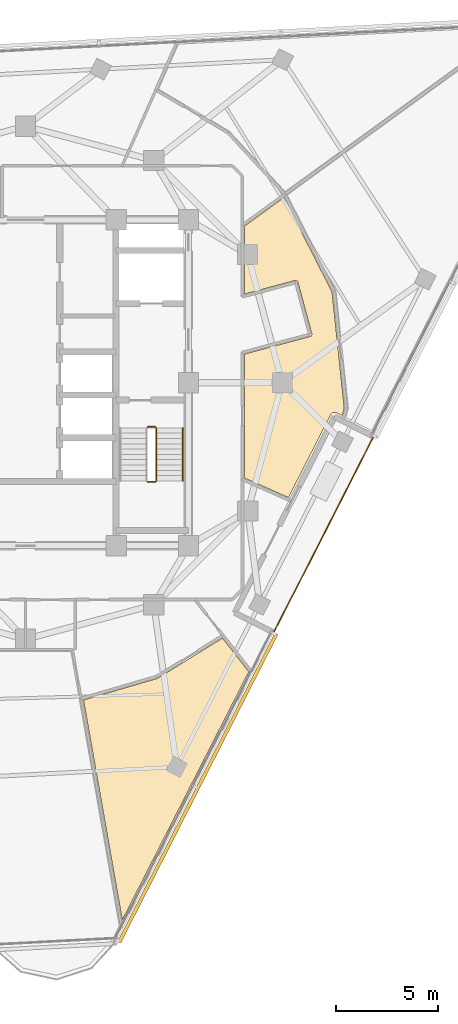
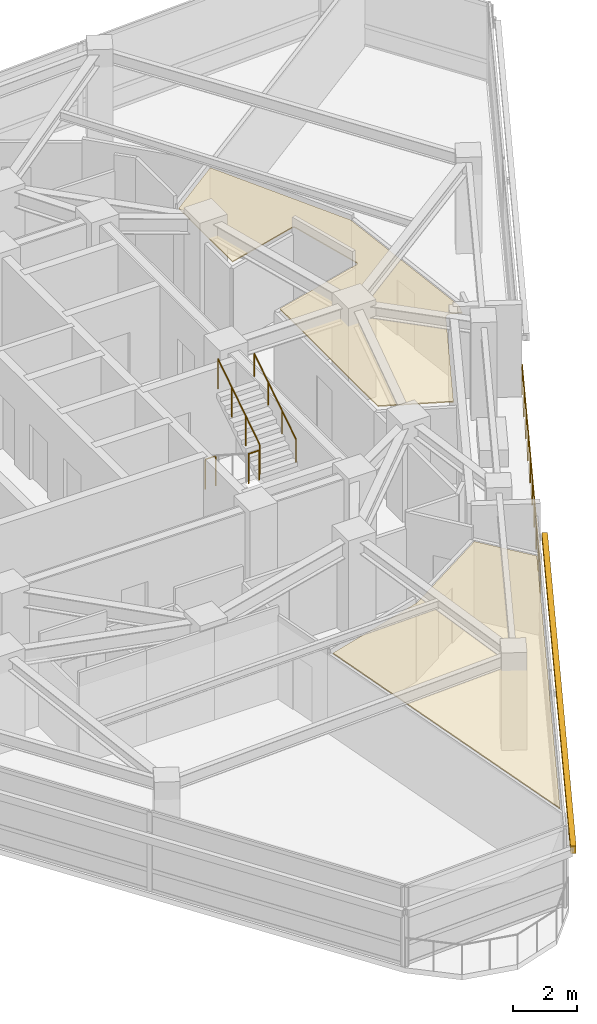
# One storey, part 13 of 15: 5 railings, 2 coverings, 1 shading device.
"""IFC4 building model written with IfcOpenShell, lengths in metres."""

import ifcopenshell
import ifcopenshell.guid

model = None  # the IFC model being written
_history = None  # IfcOwnerHistory: only IFC2X3 demands one
_inside = {}  # id of a spatial element -> (the spatial element, [elements in it])
_under = {}  # id of a project, library or spatial element -> (it, [spatial elements below it])
_declared = {}  # id of a project -> (the project, [libraries it declares])
_typed = {}  # id of a type object -> (the type object, [elements of that type])
_made_of = {}  # id of a material, layer set ... -> (it, [elements and type objects made of it])


def new_model(schema):
    """Start an empty IFC model of exactly this schema.

    Asked for "IFC4X3", IfcOpenShell would pick the latest addendum, in which some entities
    have other attributes; the version numbers below select the first issue.
    IFC2X3 requires an IfcOwnerHistory on every rooted entity: one is made here for all.
    """
    global model, _history
    if schema == "IFC4X3":
        model = ifcopenshell.file(schema_version=(4, 3, 0, 0))
    else:
        model = ifcopenshell.file(schema=schema)
    _inside.clear()
    _under.clear()
    _declared.clear()
    _typed.clear()
    _made_of.clear()
    _history = None
    if model.schema == "IFC2X3":
        org = make("IfcOrganization", Name="unknown")
        user = make(
            "IfcPersonAndOrganization",
            ThePerson=make("IfcPerson", FamilyName="unknown"),
            TheOrganization=org,
        )
        app = make(
            "IfcApplication",
            ApplicationDeveloper=org,
            Version="unknown",
            ApplicationFullName="unknown",
            ApplicationIdentifier="unknown",
        )
        _history = make(
            "IfcOwnerHistory",
            OwningUser=user,
            OwningApplication=app,
            ChangeAction="ADDED",
            CreationDate=0,
        )
    return model


def make(cls, **values):
    """One entity of the class cls with the attributes given. An attribute that is None is left unset."""
    return model.create_entity(
        cls, **{name: value for name, value in values.items() if value is not None}
    )


def rooted(cls, **values):
    """An entity with a GlobalId (a new one), such as an element, a storey or a relation."""
    return make(cls, GlobalId=ifcopenshell.guid.new(), OwnerHistory=_history, **values)


def si_unit(unit_type, name, prefix=None):
    """IfcSIUnit, for example si_unit("LENGTHUNIT", "METRE", prefix="MILLI")."""
    return make("IfcSIUnit", UnitType=unit_type, Prefix=prefix, Name=name)


def assignment(units):
    """IfcUnitAssignment: the units of a project."""
    return None if units is None else make("IfcUnitAssignment", Units=units)


def point(xyz):
    """IfcCartesianPoint."""
    return None if xyz is None else make("IfcCartesianPoint", Coordinates=xyz)


def direction(xyz):
    """IfcDirection."""
    return None if xyz is None else make("IfcDirection", DirectionRatios=xyz)


def frame(location, z_axis=None, x_axis=None):
    """IfcAxis2Placement3D, a coordinate frame: its origin and axes. An axis left out is left unset."""
    return make(
        "IfcAxis2Placement3D",
        Location=point(location),
        Axis=direction(z_axis),
        RefDirection=direction(x_axis),
    )


def frame_2d(location, x_axis=None):
    """IfcAxis2Placement2D, a coordinate frame in the plane: its origin and x axis."""
    return make(
        "IfcAxis2Placement2D", Location=point(location), RefDirection=direction(x_axis)
    )


def origin():
    """The frame at (0, 0, 0) with its axes left unset."""
    return frame((0.0, 0.0, 0.0))


def origin_2d():
    """The frame at (0, 0) in the plane with its x axis left unset."""
    return frame_2d((0.0, 0.0))


def place(relative_to, where):
    """IfcLocalPlacement: puts the frame where relative to a parent placement (None: the world)."""
    return make(
        "IfcLocalPlacement", PlacementRelTo=relative_to, RelativePlacement=where
    )


def context(
    kind, dimensions, precision=None, world=None, true_north=None, identifier=None
):
    """IfcGeometricRepresentationContext, for example the 3D "Model" context."""
    return make(
        "IfcGeometricRepresentationContext",
        ContextIdentifier=identifier,
        ContextType=kind,
        CoordinateSpaceDimension=dimensions,
        Precision=precision,
        WorldCoordinateSystem=world,
        TrueNorth=true_north,
    )


def subcontext(parent, identifier, kind, view, scale=None):
    """IfcGeometricRepresentationSubContext, for example "Body" below "Model"."""
    return make(
        "IfcGeometricRepresentationSubContext",
        ContextIdentifier=identifier,
        ContextType=kind,
        ParentContext=parent,
        TargetScale=scale,
        TargetView=view,
    )


def project(units=None, contexts=None):
    """IfcProject with its units and contexts."""
    return rooted(
        "IfcProject",
        Name="project",
        RepresentationContexts=contexts,
        UnitsInContext=assignment(units),
    )


def spatial(cls, under=None, at=None, **own):
    """A site, building, storey or space (cls), placed at a placement, below another one or the project."""
    s = rooted(cls, ObjectPlacement=at, **own)
    if under is not None:
        _under.setdefault(under.id(), (under, []))[1].append(s)
    return s


def polyline(points):
    """IfcPolyline through the points."""
    return make("IfcPolyline", Points=[point(p) for p in points])


def profile(cls, at=None, kind="AREA", **sizes):
    """A parametric profile (cls). Its sizes go by their IFC names, for example OverallWidth=200.0."""
    return make(cls, ProfileType=kind, Position=at, **sizes)


def rectangle(**sizes):
    """IfcRectangleProfileDef."""
    return profile("IfcRectangleProfileDef", **sizes)


def circle(**sizes):
    """IfcCircleProfileDef."""
    return profile("IfcCircleProfileDef", **sizes)


def outline(outer, holes=None, kind="AREA"):
    """IfcArbitraryClosedProfileDef: a profile drawn as a closed curve; with holes, ...WithVoids."""
    if holes is None:
        return make("IfcArbitraryClosedProfileDef", ProfileType=kind, OuterCurve=outer)
    return make(
        "IfcArbitraryProfileDefWithVoids",
        ProfileType=kind,
        OuterCurve=outer,
        InnerCurves=holes,
    )


def extrude(swept, where, along, depth):
    """IfcExtrudedAreaSolid: the profile swept, set in the frame where, extruded along a direction by depth."""
    return make(
        "IfcExtrudedAreaSolid",
        SweptArea=swept,
        Position=where,
        ExtrudedDirection=direction(along),
        Depth=depth,
    )


def shape(context_of_items, identifier, shape_type, items):
    """IfcShapeRepresentation: the items that make up one representation, for example the "Body"."""
    return make(
        "IfcShapeRepresentation",
        ContextOfItems=context_of_items,
        RepresentationIdentifier=identifier,
        RepresentationType=shape_type,
        Items=items,
    )


def material(Name=None, Category=None):
    """IfcMaterial."""
    return make("IfcMaterial", Name=Name, Category=Category)


def layer(
    of_material, thickness, ventilated=None, Name=None, Category=None, Priority=None
):
    """IfcMaterialLayer: one layer of a wall or slab, of a material (None: an air gap)."""
    return make(
        "IfcMaterialLayer",
        Material=of_material,
        LayerThickness=thickness,
        IsVentilated=ventilated,
        Name=Name,
        Category=Category,
        Priority=Priority,
    )


def layer_set(layers, Name=None):
    """IfcMaterialLayerSet."""
    return make("IfcMaterialLayerSet", MaterialLayers=layers, LayerSetName=Name)


def made_of(thing, what):
    """Note that an element or type object is made of a material, layer set ...; save() writes the relation."""
    if what is not None:
        _made_of.setdefault(what.id(), (what, []))[1].append(thing)
    return thing


def type_object(cls, material=None, **own):
    """A type object (cls), such as IfcWallType, which elements share."""
    return made_of(rooted(cls, **own), material)


def element(
    cls,
    number,
    at=None,
    inside=None,
    cuts=None,
    type_object=None,
    material=None,
    context=None,
    identifier="Body",
    shape_type=None,
    held_by="IfcProductDefinitionShape",
    body=None,
    shapes=None,
    **own,
):
    """One element of the class cls, such as IfcWall. Its Tag is "e" and its number.

    at: its placement. inside: the storey or other place that contains it. cuts: it is an
    opening in that element (IfcRelVoidsElement). A single representation is given by context,
    identifier, shape_type and body (its items); several are given by shapes. held_by: the class
    of the entity that holds the representations. save() writes the other relations.
    """
    e = rooted(cls, Tag="e%d" % number, ObjectPlacement=at, **own)
    if body is not None:
        shapes = [shape(context, identifier, shape_type, body)]
    if shapes is not None:
        e.Representation = make(held_by, Representations=shapes)
    if inside is not None:
        _inside.setdefault(inside.id(), (inside, []))[1].append(e)
    if cuts is not None:
        rooted(
            "IfcRelVoidsElement", RelatingBuildingElement=cuts, RelatedOpeningElement=e
        )
    if type_object is not None:
        _typed.setdefault(type_object.id(), (type_object, []))[1].append(e)
    return made_of(e, material)


def aggregate(whole, parts):
    """IfcRelAggregates: a whole, such as a stair, and the parts it consists of."""
    return rooted("IfcRelAggregates", RelatingObject=whole, RelatedObjects=parts)


def save(model, path):
    """Write the relations noted so far, then the file.

    IfcRelAggregates (storeys below a building ...), IfcRelContainedInSpatialStructure (elements
    in a storey), IfcRelDefinesByType, IfcRelAssociatesMaterial and IfcRelDeclares: one each for
    every whole, place, type object, material and project.
    """
    for whole, parts in _under.values():
        aggregate(whole, parts)
    for where, things in _inside.values():
        rooted(
            "IfcRelContainedInSpatialStructure",
            RelatedElements=things,
            RelatingStructure=where,
        )
    for kind, things in _typed.values():
        rooted("IfcRelDefinesByType", RelatedObjects=things, RelatingType=kind)
    for what, things in _made_of.values():
        rooted("IfcRelAssociatesMaterial", RelatedObjects=things, RelatingMaterial=what)
    for by, libraries in _declared.values():
        rooted("IfcRelDeclares", RelatingContext=by, RelatedDefinitions=libraries)
    model.write(path)


model = new_model("IFC4")

# Units and contexts
model_context = context("Model", 3, precision=1e-05, world=origin(), true_north=direction((0.0, 1.0)))
body_context = subcontext(model_context, "Body", "Model", "MODEL_VIEW")
ifc_project = project(units=[si_unit("LENGTHUNIT", "METRE"), si_unit("AREAUNIT", "SQUARE_METRE"), si_unit("VOLUMEUNIT", "CUBIC_METRE"), si_unit("PLANEANGLEUNIT", "RADIAN"), si_unit("MASSUNIT", "GRAM", prefix="KILO")], contexts=[model_context])

# Site, building, storey
site_placement = place(None, origin())
site = spatial("IfcSite", under=ifc_project, at=site_placement, CompositionType="ELEMENT")
building_placement = place(site_placement, origin())
building = spatial("IfcBuilding", under=site, at=building_placement, Name="Terralouvre Media Tower", CompositionType="ELEMENT")
storey_placement = place(building_placement, frame((0.0, 0.0, 252.199951171875)))
storey = spatial("IfcBuildingStorey", under=building, at=storey_placement, Name="L65", CompositionType="ELEMENT", Elevation=252.199951171875)

# Coverings
ifc_material_1 = material(Name="Perforated aluminium acoustic ceiling baffle", Category="aluminium")
ifc_layer_1 = layer(ifc_material_1, 0.0400390625, Name="Perforated Acoustic Metal Tile Ceiling CL-AC1")
ifc_layer_set_1 = layer_set([ifc_layer_1], Name="Perforated aluminium acoustic ceiling baffle")
covering_type = type_object("IfcCoveringType", Name="Perforated Acoustic Metal Tile Ceiling CL-AC1", PredefinedType="CEILING", material=ifc_layer_set_1)
covering_1_placement = place(storey_placement, frame((0.0, 0.0, 2.97998046875), z_axis=(0.0, 0.0, 1.0), x_axis=(0.45399049974, 0.891006524188, 0.0)))
element("IfcCovering", 1, at=covering_1_placement, inside=storey, type_object=covering_type, Name="L65 Classical and Jazz Listening Library 2 Acoustic Ceiling", PredefinedType="CEILING", context=body_context, shape_type="SweptSolid", body=[
    extrude(outline(polyline([(10.805419921875, -11.386962890625), (13.86474609375, -7.1767578125), (11.7294921875, -6.08837890625), (8.760986328125, -7.60107421875), (10.49365234375, -9.525146484375), (10.5, -9.532958984375), (10.50537109375, -9.541015625), (10.510009765625, -9.5498046875), (10.513671875, -9.558837890625), (10.5166015625, -9.568115234375), (10.518310546875, -9.577880859375), (10.519287109375, -9.587646484375), (10.519287109375, -9.597412109375), (10.518310546875, -9.607177734375), (10.516357421875, -9.61669921875), (10.513427734375, -9.626220703125), (10.509765625, -9.63525390625), (10.5048828125, -9.643798828125), (10.49951171875, -9.652099609375), (10.4931640625, -9.65966796875), (10.486328125, -9.66650390625), (8.516357421875, -11.439208984375), (8.5087890625, -11.4453125), (8.50048828125, -11.45068359375), (8.491943359375, -11.455322265625), (8.482666015625, -11.458984375), (8.473388671875, -11.4619140625), (8.463623046875, -11.463623046875), (8.453857421875, -11.464599609375), (8.444091796875, -11.464599609375), (8.434326171875, -11.463623046875), (8.4248046875, -11.461669921875), (8.415283203125, -11.458740234375), (8.406494140625, -11.455078125), (8.397705078125, -11.450439453125), (8.3896484375, -11.44482421875), (8.382080078125, -11.4384765625), (8.375, -11.431640625), (6.132568359375, -8.9404296875), (0.713134765625, -11.70166015625), (0.83740234375, -14.0625), (5.400146484375, -14.06298828125), (5.410888671875, -14.06298828125), (5.425537109375, -14.06396484375), (5.4375, -14.0654296875), (5.4462890625, -14.067138671875), (5.45458984375, -14.0693359375), (5.46533203125, -14.072998046875), (5.4775390625, -14.076904296875), (5.489013671875, -14.08154296875), (5.499267578125, -14.086181640625), (5.510009765625, -14.092041015625), (5.519775390625, -14.098388671875), (5.526123046875, -14.1025390625), (5.53515625, -14.109130859375), (5.5439453125, -14.116455078125), (5.552490234375, -14.12451171875), (5.559814453125, -14.1318359375), (5.56787109375, -14.141357421875), (5.572021484375, -14.146240234375), (5.578857421875, -14.1552734375), (5.584228515625, -14.1630859375), (5.590576171875, -14.17333984375), (5.5947265625, -14.1806640625), (5.60009765625, -14.19140625), (5.603515625, -14.19873046875), (5.606201171875, -14.20654296875), (5.60986328125, -14.21826171875), (5.610595703125, -14.2197265625), (5.61376953125, -14.23046875), (5.61572265625, -14.238525390625), (5.6171875, -14.246826171875), (5.61865234375, -14.258544921875), (5.619140625, -14.266357421875), (5.61962890625, -14.2783203125), (5.619873046875, -14.28271484375), (5.620361328125, -14.58544921875), (6.007080078125, -14.503173828125), (10.805419921875, -11.386962890625)])), origin(), (0.0, 0.0, 1.0), 0.0400390625),
])
covering_2_placement = place(storey_placement, frame((0.0, 0.0, 2.97998046875), z_axis=(0.0, 0.0, 1.0), x_axis=(0.45399049974, 0.891006524188, 0.0)))
element("IfcCovering", 2, at=covering_2_placement, inside=storey, type_object=covering_type, Name="L65 Cultural Quarterly Editorial Office 4 Acoustic Ceiling", PredefinedType="CEILING", context=body_context, shape_type="SweptSolid", body=[
    extrude(outline(polyline([(-9.995361328125, -12.364013671875), (-10.0029296875, -12.35888671875), (-10.009765625, -12.353271484375), (-10.016357421875, -12.346923828125), (-12.58935546875, -9.612060546875), (-21.3486328125, -16.212890625), (-7.670166015625, -16.212158203125), (-6.784912109375, -14.312744140625), (-9.995361328125, -12.364013671875)])), origin(), (0.0, 0.0, 1.0), 0.0400390625),
])

# Railings
ifc_material_2 = material(Name="Stainless steel 316 handrail and balustrade", Category="steel")
ifc_layer_2 = layer(ifc_material_2, 0.06005859375, Name="Roof Edge Safety Guardrail GR-ROOF1")
ifc_layer_set_2 = layer_set([ifc_layer_2], Name="Stainless steel 316 handrail and balustrade")
railing_type_1 = type_object("IfcRailingType", Name="Roof Edge Safety Guardrail GR-ROOF1", PredefinedType="GUARDRAIL", material=ifc_layer_set_2)
railing_1_placement = place(storey_placement, frame((12.18994140625, -12.271728515625, 0.0)))
element("IfcRailing", 3, at=railing_1_placement, inside=storey, type_object=railing_type_1, Name="L65 SG Outer Edge Glass Balustrade", PredefinedType="GUARDRAIL", context=body_context, shape_type="SweptSolid", body=[
    extrude(circle(Radius=0.02392578125, at=origin_2d()), frame((0.0, 0.0, 1.1259765625), z_axis=(0.453991476178, 0.891006026667, 0.0), x_axis=(-0.891006026667, 0.453991476178, 0.0)), (0.0, 0.0, 1.0), 10.800048828125),
    extrude(circle(Radius=0.02099609375, at=origin_2d()), origin(), (0.0, 0.0, 1.0), 1.101806640625),
    extrude(circle(Radius=0.02099609375, at=origin_2d()), frame((0.544677734375, 1.069091796875, 0.0)), (0.0, 0.0, 1.0), 1.101806640625),
    extrude(circle(Radius=0.02099609375, at=origin_2d()), frame((1.089599609375, 2.138427734375, 0.0)), (0.0, 0.0, 1.0), 1.101806640625),
    extrude(circle(Radius=0.02099609375, at=origin_2d()), frame((1.63427734375, 3.20751953125, 0.0)), (0.0, 0.0, 1.0), 1.101806640625),
    extrude(circle(Radius=0.02099609375, at=origin_2d()), frame((2.17919921875, 4.27685546875, 0.0)), (0.0, 0.0, 1.0), 1.101806640625),
    extrude(circle(Radius=0.02099609375, at=origin_2d()), frame((2.723876953125, 5.345947265625, 0.0)), (0.0, 0.0, 1.0), 1.101806640625),
    extrude(circle(Radius=0.02099609375, at=origin_2d()), frame((3.268798828125, 6.415283203125, 0.0)), (0.0, 0.0, 1.0), 1.101806640625),
    extrude(circle(Radius=0.02099609375, at=origin_2d()), frame((3.8134765625, 7.484375, 0.0)), (0.0, 0.0, 1.0), 1.101806640625),
    extrude(circle(Radius=0.02099609375, at=origin_2d()), frame((4.3583984375, 8.5537109375, 0.0)), (0.0, 0.0, 1.0), 1.101806640625),
    extrude(circle(Radius=0.02099609375, at=origin_2d()), frame((4.903076171875, 9.622802734375, 0.0)), (0.0, 0.0, 1.0), 1.101806640625),
])
ifc_material_3 = material(Name="Stainless steel 316 handrail and balustrade", Category="steel")
ifc_layer_3 = layer(ifc_material_3, 0.050048828125, Name="Stair Flight Wall Handrail HR-INT1")
ifc_layer_set_3 = layer_set([ifc_layer_3], Name="Stainless steel 316 handrail and balustrade")
railing_type_2 = type_object("IfcRailingType", Name="Stair Flight Wall Handrail HR-INT1", PredefinedType="HANDRAIL", material=ifc_layer_set_3)
railing_2_placement = place(storey_placement, frame((7.72998046875, -4.820068359375, 2.018310546875)))
element("IfcRailing", 4, at=railing_2_placement, inside=storey, type_object=railing_type_2, Name="L65 ST-02 stair handrail 2", PredefinedType="HANDRAIL", context=body_context, shape_type="SweptSolid", body=[
    extrude(circle(Radius=0.02392578125, at=origin_2d()), frame((0.0, 0.0, 0.8759765625), z_axis=(0.0, 0.839684365666, 0.543074733399), x_axis=(-1.0, 0.0, 0.0)), (0.0, 0.0, 1.0), 3.096435546875),
    extrude(circle(Radius=0.02099609375, at=origin_2d()), origin(), (0.0, 0.0, 1.0), 0.851806640625),
    extrude(circle(Radius=0.02099609375, at=origin_2d()), frame((0.0, 0.86669921875, 0.560546875)), (0.0, 0.0, 1.0), 0.851806640625),
    extrude(circle(Radius=0.02099609375, at=origin_2d()), frame((0.0, 1.7333984375, 1.12109375)), (0.0, 0.0, 1.0), 0.851806640625),
    extrude(circle(Radius=0.02099609375, at=origin_2d()), frame((0.0, 2.60009765625, 1.681640625)), (0.0, 0.0, 1.0), 0.851806640625),
])
ifc_material_4 = material(Name="Stainless steel 316 handrail and balustrade", Category="steel")
ifc_layer_4 = layer(ifc_material_4, 0.050048828125, Name="Stairwell Safety Guardrail GR-INT1")
ifc_layer_set_4 = layer_set([ifc_layer_4], Name="Stainless steel 316 handrail and balustrade")
railing_type_3 = type_object("IfcRailingType", Name="Stairwell Safety Guardrail GR-INT1", PredefinedType="GUARDRAIL", material=ifc_layer_set_4)
railing_3_placement = place(storey_placement, frame((6.0, -4.8701171875, 1.85009765625)))
element("IfcRailing", 5, at=railing_3_placement, inside=storey, type_object=railing_type_3, Name="L65 ST-02 stair guard 2", PredefinedType="GUARDRAIL", context=body_context, shape_type="SweptSolid", body=[
    extrude(circle(Radius=0.02392578125, at=origin_2d()), frame((0.0, 0.0, 1.1259765625), z_axis=(1.0, 0.0, 0.0), x_axis=(0.0, 1.0, 0.0)), (0.0, 0.0, 1.0), 0.3798828125),
    extrude(circle(Radius=0.02099609375, at=origin_2d()), origin(), (0.0, 0.0, 1.0), 1.101806640625),
    extrude(circle(Radius=0.02099609375, at=origin_2d()), frame((0.3798828125, 0.0, 0.0)), (0.0, 0.0, 1.0), 1.101806640625),
])
railing_4_placement = place(storey_placement, frame((6.429931640625, -4.820068359375, 2.018310546875)))
element("IfcRailing", 6, at=railing_4_placement, inside=storey, type_object=railing_type_3, Name="L65 ST-02 stair guard 3", PredefinedType="GUARDRAIL", context=body_context, shape_type="SweptSolid", body=[
    extrude(circle(Radius=0.02392578125, at=origin_2d()), frame((0.0, 0.0, 1.1259765625), z_axis=(0.0, 0.839684365666, 0.543074733399), x_axis=(-1.0, 0.0, 0.0)), (0.0, 0.0, 1.0), 3.096435546875),
    extrude(circle(Radius=0.02099609375, at=origin_2d()), origin(), (0.0, 0.0, 1.0), 1.101806640625),
    extrude(circle(Radius=0.02099609375, at=origin_2d()), frame((0.0, 0.86669921875, 0.560546875)), (0.0, 0.0, 1.0), 1.101806640625),
    extrude(circle(Radius=0.02099609375, at=origin_2d()), frame((0.0, 1.7333984375, 1.12109375)), (0.0, 0.0, 1.0), 1.101806640625),
    extrude(circle(Radius=0.02099609375, at=origin_2d()), frame((0.0, 2.60009765625, 1.681640625)), (0.0, 0.0, 1.0), 1.101806640625),
])
railing_5_placement = place(storey_placement, frame((6.0, -2.169921875, 0.0)))
element("IfcRailing", 7, at=railing_5_placement, inside=storey, type_object=railing_type_3, Name="L65 ST-02 stair guard 4", PredefinedType="GUARDRAIL", context=body_context, shape_type="SweptSolid", body=[
    extrude(circle(Radius=0.02392578125, at=origin_2d()), frame((0.0, 0.0, 1.1259765625), z_axis=(1.0, 0.0, 0.0), x_axis=(0.0, 1.0, 0.0)), (0.0, 0.0, 1.0), 0.3798828125),
    extrude(circle(Radius=0.02099609375, at=origin_2d()), origin(), (0.0, 0.0, 1.0), 1.101806640625),
    extrude(circle(Radius=0.02099609375, at=origin_2d()), frame((0.3798828125, 0.0, 0.0)), (0.0, 0.0, 1.0), 1.101806640625),
])

# Shading device
ifc_material_5 = material(Name="Extruded terracotta baguette sunshade louvres", Category="masonry")
shading_device_type = type_object("IfcShadingDeviceType", Name="Terracotta Baguette Sunshade Louvre Screen TB-LV1", PredefinedType="USERDEFINED", material=ifc_material_5)
shading_device_placement = place(storey_placement, frame((8.455810546875, -19.90869140625, 2.02392578125), z_axis=(0.0, 0.0, 1.0), x_axis=(0.453989886735, 0.89100683653, 0.0)))
element("IfcShadingDevice", 8, at=shading_device_placement, inside=storey, type_object=shading_device_type, Name="CW-L65-F0L Terracotta Baguette Sunshade Louvre", ObjectType="BAGUETTE", PredefinedType="USERDEFINED", context=body_context, shape_type="SweptSolid", body=[
    extrude(rectangle(XDim=17.0, YDim=0.179931640625, at=origin_2d()), origin(), (0.0, 0.0, 1.0), 0.280029296875),
])

save(model, "model.ifc")
